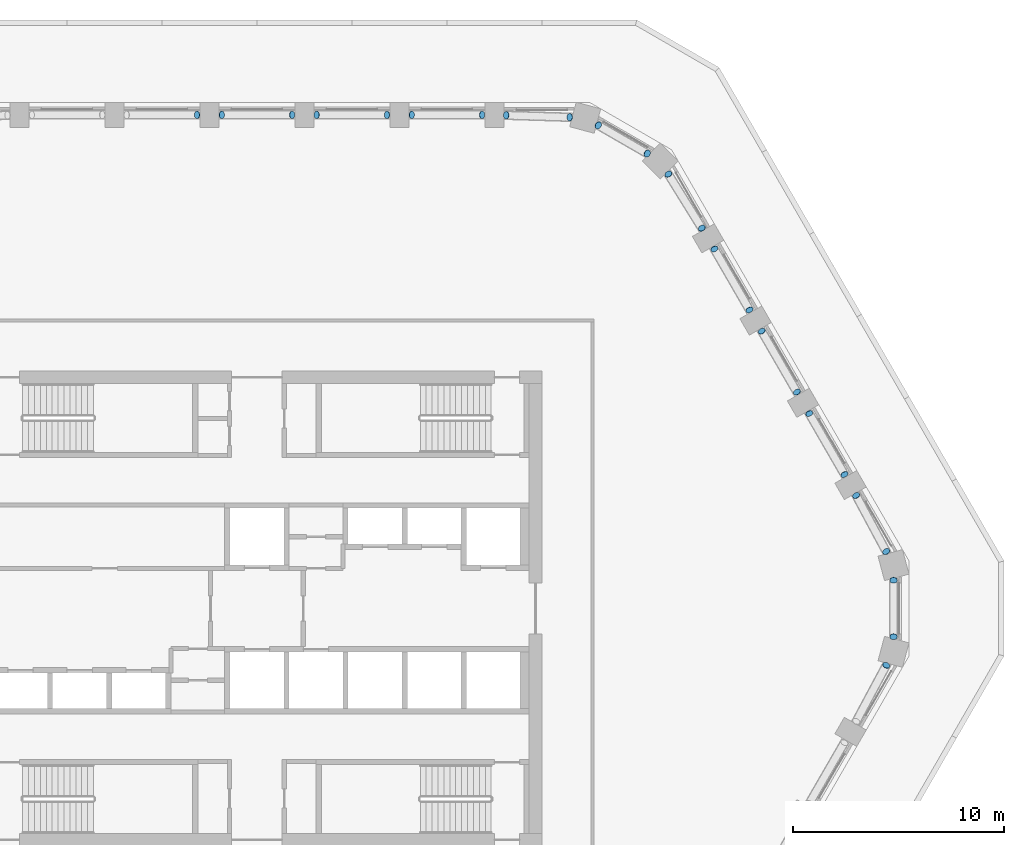
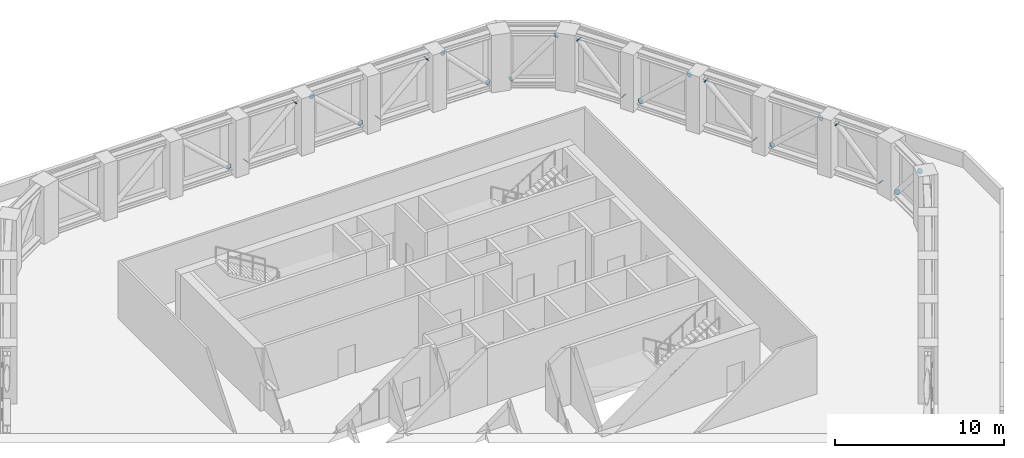
# One storey, part 13 of 14: 24 discrete accessories.
"""IFC4 building model written with IfcOpenShell, lengths in metres."""

from ifc_helpers import new_model, si_unit, direction, frame, origin, origin_2d, place, context, subcontext, project, spatial, circle, extrude, material, material_profile, profile_set, type_object, element, save


model = new_model("IFC4")

# Units and contexts
model_context = context("Model", 3, precision=1e-05, world=origin(), true_north=direction((0.0, 1.0)))
body_context = subcontext(model_context, "Body", "Model", "MODEL_VIEW")
ifc_project = project(units=[si_unit("LENGTHUNIT", "METRE"), si_unit("AREAUNIT", "SQUARE_METRE"), si_unit("VOLUMEUNIT", "CUBIC_METRE"), si_unit("PLANEANGLEUNIT", "RADIAN"), si_unit("MASSUNIT", "GRAM", prefix="KILO")], contexts=[model_context])

# Site, building, storey
site_placement = place(None, origin())
site = spatial("IfcSite", under=ifc_project, at=site_placement, CompositionType="ELEMENT")
building_placement = place(site_placement, origin())
building = spatial("IfcBuilding", under=site, at=building_placement, Name="Dhurran Vertical Campus", CompositionType="ELEMENT")
storey_placement = place(building_placement, frame((0.0, 0.0, 179.39990234375)))
storey = spatial("IfcBuildingStorey", under=building, at=storey_placement, Name="L44 Plant", CompositionType="ELEMENT", Elevation=179.39990234375)

# Discrete accessories
ifc_material = material(Name="Steel S355J2", Category="steel")
ifc_material_profile = material_profile(ifc_material, circle(Radius=0.177734375, at=origin_2d()), Name="Tube end cap 356 x 20")
ifc_profile_set = profile_set([ifc_material_profile], Name="Steel S355J2")
discrete_accessory_type = type_object("IfcDiscreteAccessoryType", Name="Tube end cap 356 x 20", PredefinedType="USERDEFINED", material=ifc_profile_set)
discrete_accessory_1_placement = place(storey_placement, frame((29.814208984375, -2.7021484375, 3.619384765625), z_axis=(0.332523410598, 0.615784093699, 0.714309548691), x_axis=(-0.879905397657, 0.475148914735, 0.0)))
element("IfcDiscreteAccessory", 1, at=discrete_accessory_1_placement, inside=storey, type_object=discrete_accessory_type, Name="EC1 belt L44 d12 capB", ObjectType="END CAP", PredefinedType="USERDEFINED", context=body_context, shape_type="SweptSolid", body=[
    extrude(circle(Radius=0.177734375, at=origin_2d()), origin(), (0.0, 0.0, 1.0), 0.019775390625),
])
for number, where, z_axis, x_axis, name in (
    (2, (30.162353515625, 1.33251953125, 0.52294921875), (0.0, 0.649781149204, -0.760121344352), (-1.0, 0.0, 0.0), "EC1 belt L44 d13 capA"),
    (3, (30.162353515625, -1.33251953125, 3.627197265625), (0.0, -0.643761629109, 0.765226087432), (1.0, 0.0, 0.0), "EC1 belt L44 d13 capB"),
    (4, (29.814208984375, 2.7021484375, 0.531005859375), (0.329611612661, -0.610391875299, -0.720262412853), (0.879905397657, 0.475148914735, 0.0), "EC1 belt L44 d14 capA"),
    (5, (28.397216796875, 5.344482421875, 3.619384765625), (-0.343409674547, 0.613231561692, 0.711348611563), (-0.87250601595, -0.488603368932, 0.0), "EC1 belt L44 d14 capB"),
    (6, (26.1728515625, 9.232666015625, 0.53759765625), (-0.365419152851, 0.633393198274, -0.682115751988), (-0.866185586049, -0.49972245349, 0.0), "EC1 belt L44 d15 capA"),
    (7, (27.83203125, 6.358642578125, 3.61279296875), (0.37900822508, -0.635755732393, 0.672433947723), (0.858946974209, 0.512064542317, 0.0), "EC1 belt L44 d15 capB"),
    (8, (25.58203125, 10.255859375, 0.53759765625), (0.375902579927, -0.630546263103, -0.679049821803), (0.858946974209, 0.512064542317, 0.0), "EC1 belt L44 d16 capA"),
):
    element("IfcDiscreteAccessory", number, at=place(storey_placement, frame(where, z_axis=z_axis, x_axis=x_axis)), inside=storey, type_object=discrete_accessory_type, Name=name, ObjectType="END CAP", PredefinedType="USERDEFINED", context=body_context, shape_type="SweptSolid", body=[
        extrude(circle(Radius=0.177734375, at=origin_2d()), origin(), (0.0, 0.0, 1.0), 0.02001953125),
    ])
discrete_accessory_2_placement = place(storey_placement, frame((23.9228515625, 13.129638671875, 3.61279296875), z_axis=(-0.368465851911, 0.638674143313, 0.675520728504), x_axis=(-0.866185586049, -0.49972245349, 0.0)))
element("IfcDiscreteAccessory", 9, at=discrete_accessory_2_placement, inside=storey, type_object=discrete_accessory_type, Name="EC1 belt L44 d16 capB", ObjectType="END CAP", PredefinedType="USERDEFINED", context=body_context, shape_type="SweptSolid", body=[
    extrude(circle(Radius=0.177734375, at=origin_2d()), origin(), (0.0, 0.0, 1.0), 0.019775390625),
])
for number, where, z_axis, x_axis, name in (
    (10, (21.6728515625, 17.02685546875, 0.53759765625), (-0.365419152851, 0.633393198274, -0.682115751988), (-0.866185586049, -0.49972245349, 0.0), "EC1 belt L44 d17 capA"),
    (11, (23.33203125, 14.15283203125, 3.61279296875), (0.37900822508, -0.635755732393, 0.672433947723), (0.858946974209, 0.512064542317, 0.0), "EC1 belt L44 d17 capB"),
    (12, (21.076904296875, 18.0234375, 0.531005859375), (0.364285900146, -0.595000303572, -0.716428936954), (0.852851304076, 0.522153859639, 0.0), "EC1 belt L44 d18 capA"),
    (13, (19.497314453125, 20.571533203125, 3.619384765625), (-0.367469397963, 0.600200016674, 0.710440836063), (-0.852851304076, -0.522153859639, 0.0), "EC1 belt L44 d18 capB"),
    (14, (16.17724609375, 22.890380859375, 0.52294921875), (-0.562441339278, 0.330128612185, -0.758073109461), (-0.506200568764, -0.862415783821, 0.0), "EC1 belt L44 d19 capA"),
    (15, (18.485107421875, 21.557861328125, 3.627197265625), (0.559438516664, -0.316204378984, 0.766187533692), (0.492057256668, 0.87056283872, 0.0), "EC1 belt L44 d19 capB"),
    (16, (14.81689453125, 23.273681640625, 0.531005859375), (0.694605630899, -0.0243721274, -0.718977758299), (0.035066140133, 0.999384993792, 0.0), "EC1 belt L44 d20 capA"),
):
    element("IfcDiscreteAccessory", number, at=place(storey_placement, frame(where, z_axis=z_axis, x_axis=x_axis)), inside=storey, type_object=discrete_accessory_type, Name=name, ObjectType="END CAP", PredefinedType="USERDEFINED", context=body_context, shape_type="SweptSolid", body=[
        extrude(circle(Radius=0.177734375, at=origin_2d()), origin(), (0.0, 0.0, 1.0), 0.02001953125),
    ])
discrete_accessory_3_placement = place(storey_placement, frame((11.8203125, 23.36767578125, 3.619384765625), z_axis=(-0.700719636996, 0.02458665393, 0.713012963961), x_axis=(-0.035066140133, -0.999384993792, 0.0)))
element("IfcDiscreteAccessory", 17, at=discrete_accessory_3_placement, inside=storey, type_object=discrete_accessory_type, Name="EC1 belt L44 d20 capB", ObjectType="END CAP", PredefinedType="USERDEFINED", context=body_context, shape_type="SweptSolid", body=[
    extrude(circle(Radius=0.177734375, at=origin_2d()), origin(), (0.0, 0.0, 1.0), 0.019775390625),
])
discrete_accessory_4_placement = place(storey_placement, frame((7.3408203125, 23.385498046875, 0.53759765625), z_axis=(-0.731055268243, 0.0, -0.68231825036), x_axis=(0.0, -1.0, 0.0)))
element("IfcDiscreteAccessory", 18, at=discrete_accessory_4_placement, inside=storey, type_object=discrete_accessory_type, Name="EC1 belt L44 d21 capA", ObjectType="END CAP", PredefinedType="USERDEFINED", context=body_context, shape_type="SweptSolid", body=[
    extrude(circle(Radius=0.177734375, at=origin_2d()), origin(), (0.0, 0.0, 1.0), 0.02001953125),
])
discrete_accessory_5_placement = place(storey_placement, frame((10.6591796875, 23.385498046875, 3.61279296875), z_axis=(0.737154140201, 0.0, 0.675724628517), x_axis=(0.0, 1.0, 0.0)))
element("IfcDiscreteAccessory", 19, at=discrete_accessory_5_placement, inside=storey, type_object=discrete_accessory_type, Name="EC1 belt L44 d21 capB", ObjectType="END CAP", PredefinedType="USERDEFINED", context=body_context, shape_type="SweptSolid", body=[
    extrude(circle(Radius=0.177734375, at=origin_2d()), origin(), (0.0, 0.0, 1.0), 0.019775390625),
])
discrete_accessory_6_placement = place(storey_placement, frame((6.1591796875, 23.385498046875, 0.53759765625), z_axis=(0.731055268243, 0.0, -0.68231825036), x_axis=(0.0, 1.0, 0.0)))
element("IfcDiscreteAccessory", 20, at=discrete_accessory_6_placement, inside=storey, type_object=discrete_accessory_type, Name="EC1 belt L44 d22 capA", ObjectType="END CAP", PredefinedType="USERDEFINED", context=body_context, shape_type="SweptSolid", body=[
    extrude(circle(Radius=0.177734375, at=origin_2d()), origin(), (0.0, 0.0, 1.0), 0.02001953125),
])
discrete_accessory_7_placement = place(storey_placement, frame((2.8408203125, 23.385498046875, 3.61279296875), z_axis=(-0.737154140201, 0.0, 0.675724628517), x_axis=(0.0, -1.0, 0.0)))
element("IfcDiscreteAccessory", 21, at=discrete_accessory_7_placement, inside=storey, type_object=discrete_accessory_type, Name="EC1 belt L44 d22 capB", ObjectType="END CAP", PredefinedType="USERDEFINED", context=body_context, shape_type="SweptSolid", body=[
    extrude(circle(Radius=0.177734375, at=origin_2d()), origin(), (0.0, 0.0, 1.0), 0.019775390625),
])
discrete_accessory_8_placement = place(storey_placement, frame((-1.6591796875, 23.385498046875, 0.53759765625), z_axis=(-0.731055268243, 0.0, -0.68231825036), x_axis=(0.0, -1.0, 0.0)))
element("IfcDiscreteAccessory", 22, at=discrete_accessory_8_placement, inside=storey, type_object=discrete_accessory_type, Name="EC1 belt L44 d23 capA", ObjectType="END CAP", PredefinedType="USERDEFINED", context=body_context, shape_type="SweptSolid", body=[
    extrude(circle(Radius=0.177734375, at=origin_2d()), origin(), (0.0, 0.0, 1.0), 0.02001953125),
])
discrete_accessory_9_placement = place(storey_placement, frame((1.6591796875, 23.385498046875, 3.61279296875), z_axis=(0.737154140201, 0.0, 0.675724628517), x_axis=(0.0, 1.0, 0.0)))
element("IfcDiscreteAccessory", 23, at=discrete_accessory_9_placement, inside=storey, type_object=discrete_accessory_type, Name="EC1 belt L44 d23 capB", ObjectType="END CAP", PredefinedType="USERDEFINED", context=body_context, shape_type="SweptSolid", body=[
    extrude(circle(Radius=0.177734375, at=origin_2d()), origin(), (0.0, 0.0, 1.0), 0.019775390625),
])
discrete_accessory_10_placement = place(storey_placement, frame((-2.8408203125, 23.385498046875, 0.53759765625), z_axis=(0.731055268243, 0.0, -0.68231825036), x_axis=(0.0, 1.0, 0.0)))
element("IfcDiscreteAccessory", 24, at=discrete_accessory_10_placement, inside=storey, type_object=discrete_accessory_type, Name="EC1 belt L44 d24 capA", ObjectType="END CAP", PredefinedType="USERDEFINED", context=body_context, shape_type="SweptSolid", body=[
    extrude(circle(Radius=0.177734375, at=origin_2d()), origin(), (0.0, 0.0, 1.0), 0.02001953125),
])

save(model, "model.ifc")
